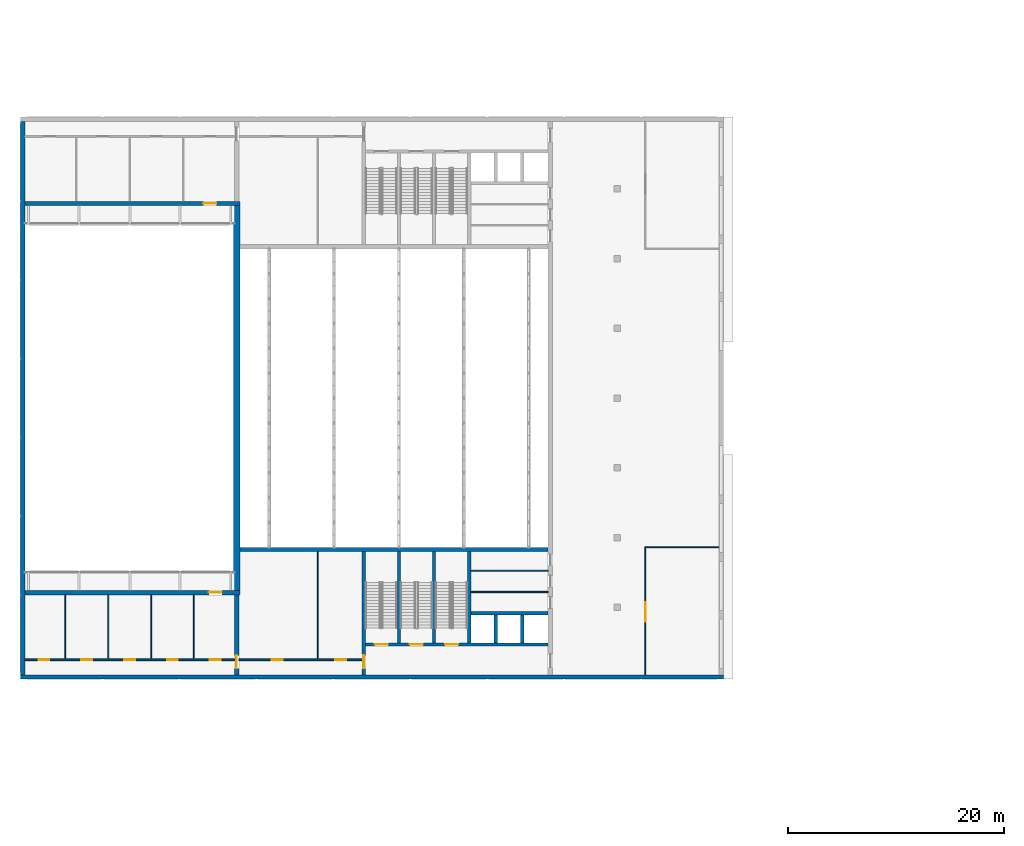
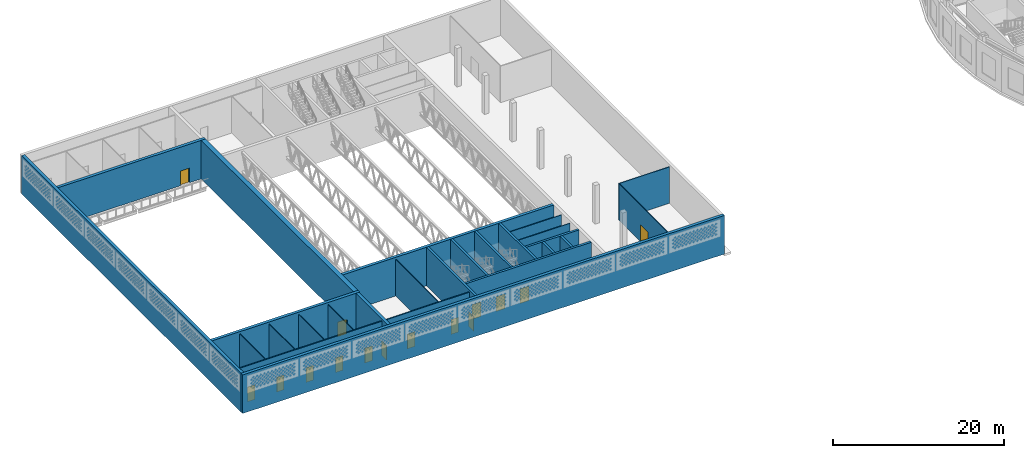
# One storey, part 10 of 69: 26 walls, 15 doors, 15 openings.
"""IFC4 building model written with IfcOpenShell, lengths in metres."""

from ifc_helpers import new_model, si_unit, direction, frame, frame_2d, origin, place, context, subcontext, project, spatial, rectangle, extrude, material, layer, layer_set, type_object, element, fill, save


model = new_model("IFC4")

# Units and contexts
model_context = context("Model", 3, precision=1e-05, world=origin(), true_north=direction((0.0, 1.0)))
body_context = subcontext(model_context, "Body", "Model", "MODEL_VIEW")
ifc_project = project(units=[si_unit("LENGTHUNIT", "METRE"), si_unit("AREAUNIT", "SQUARE_METRE"), si_unit("VOLUMEUNIT", "CUBIC_METRE"), si_unit("PLANEANGLEUNIT", "RADIAN"), si_unit("MASSUNIT", "GRAM", prefix="KILO")], contexts=[model_context])

# Site, building, storey
site_placement = place(None, origin())
site = spatial("IfcSite", under=ifc_project, at=site_placement, CompositionType="ELEMENT")
building_placement = place(site_placement, origin())
building = spatial("IfcBuilding", under=site, at=building_placement, Name="Noorbagh Ring Tower", CompositionType="ELEMENT")
storey_placement = place(building_placement, frame((0.0, 0.0, 19.5)))
storey = spatial("IfcBuildingStorey", under=building, at=storey_placement, Name="L03", CompositionType="ELEMENT", Elevation=19.5)

# Walls
ifc_material_1 = material(Name="Gypsum board on steel studs", Category="steel")
ifc_layer_1 = layer(ifc_material_1, 0.10009765625)
ifc_layer_set_1 = layer_set([ifc_layer_1], Name="Gypsum board on steel studs")
wall_type_1 = type_object("IfcWallType", Name="TH-PART-100", PredefinedType="PARTITIONING", material=ifc_layer_set_1)
for number, where, z_axis, x_axis, name in (
    (1, (-118.35009765625, -12.93310546875, 0.0), (0.0, 0.0, 1.0), (1.0, 0.0, 0.0), "L03/th-wall/030"),
    (2, (-118.35009765625, -10.967041015625, 0.0), (0.0, 0.0, 1.0), (1.0, 0.0, 0.0), "L03/th-wall/031"),
):
    element("IfcWall", number, at=place(storey_placement, frame(where, z_axis=z_axis, x_axis=x_axis)), inside=storey, type_object=wall_type_1, Name=name, PredefinedType="PARTITIONING", context=body_context, shape_type="SweptSolid", body=[
        extrude(rectangle(XDim=7.150146484375, YDim=0.10009765625, at=frame_2d((3.5751953125, 0.0))), origin(), (0.0, 0.0, 1.0), 5.199951171875),
    ])
wall_1_placement = place(storey_placement, frame((-102.25, -8.800048828125, 0.0), z_axis=(0.0, 0.0, 1.0), x_axis=(1.0, 0.0, 0.0)))
element("IfcWall", 3, at=wall_1_placement, inside=storey, type_object=wall_type_1, Name="L03/th-wall/032", PredefinedType="PARTITIONING", context=body_context, shape_type="SweptSolid", body=[
    extrude(rectangle(XDim=6.85009765625, YDim=0.10009765625, at=frame_2d((3.425048828125, 0.0))), origin(), (0.0, 0.0, 1.0), 5.199951171875),
])
for number, where, z_axis, x_axis, name in (
    (4, (-155.840087890625, -19.125, 0.0), (0.0, 0.0, 1.0), (0.0, 1.0, 0.0), "L03/th-wall/038"),
    (5, (-151.8798828125, -19.125, 0.0), (0.0, 0.0, 1.0), (0.0, 1.0, 0.0), "L03/th-wall/040"),
    (6, (-147.919921875, -19.125, 0.0), (0.0, 0.0, 1.0), (0.0, 1.0, 0.0), "L03/th-wall/042"),
    (7, (-143.9599609375, -19.125, 0.0), (0.0, 0.0, 1.0), (0.0, 1.0, 0.0), "L03/th-wall/044"),
):
    element("IfcWall", number, at=place(storey_placement, frame(where, z_axis=z_axis, x_axis=x_axis)), inside=storey, type_object=wall_type_1, Name=name, PredefinedType="PARTITIONING", context=body_context, shape_type="SweptSolid", body=[
        extrude(rectangle(XDim=5.925048828125, YDim=0.10009765625, at=frame_2d((2.96240234375, 0.0))), origin(), (0.0, 0.0, 1.0), 5.199951171875),
    ])
wall_2_placement = place(storey_placement, frame((-132.5, -19.125, 0.0), z_axis=(0.0, 0.0, 1.0), x_axis=(0.0, 1.0, 0.0)))
element("IfcWall", 8, at=wall_2_placement, inside=storey, type_object=wall_type_1, Name="L03/th-wall/045", PredefinedType="PARTITIONING", context=body_context, shape_type="SweptSolid", body=[
    extrude(rectangle(XDim=9.925048828125, YDim=0.10009765625, at=frame_2d((4.96240234375, 0.0))), origin(), (0.0, 0.0, 1.0), 5.199951171875),
])

# Wall, opening, door
wall_3_placement = place(storey_placement, frame((-102.199951171875, -20.60009765625, 0.0), z_axis=(0.0, 0.0, 1.0), x_axis=(0.0, 1.0, 0.0)))
wall_3 = element("IfcWall", 9, at=wall_3_placement, inside=storey, type_object=wall_type_1, Name="L03/th-wall/047", PredefinedType="PARTITIONING", context=body_context, shape_type="SweptSolid", body=[
    extrude(rectangle(XDim=11.75, YDim=0.10009765625, at=frame_2d((5.875, 0.0))), origin(), (0.0, 0.0, 1.0), 5.199951171875),
])
opening_1_placement = place(wall_3_placement, frame((4.89990234375, 0.0, 0.0)))
opening_1 = element("IfcOpeningElement", 10, at=opening_1_placement, cuts=wall_3, Name="Opening TL03-D26", PredefinedType="OPENING", context=body_context, shape_type="SweptSolid", body=[
    extrude(rectangle(XDim=1.800048828125, YDim=2.39990234375, at=frame_2d((0.89990234375, 1.199951171875))), frame((0.0, 0.06005859375, 0.0), z_axis=(0.0, -1.0, 0.0), x_axis=(1.0, 0.0, 0.0)), (0.0, 0.0, 1.0), 0.1201171875),
])
ifc_material_2 = material(Name="Timber", Category="wood")
door_type_1 = type_object("IfcDoorType", Name="TH-DOOR-DBL-1800", OperationType="DOUBLE_DOOR_SINGLE_SWING", PredefinedType="DOOR", material=ifc_material_2)
door_1_placement = place(opening_1_placement, origin())
door_1 = element("IfcDoor", 11, at=door_1_placement, inside=storey, type_object=door_type_1, Name="Door Administration office to Staff kitchen TL03-D26", OperationType="DOUBLE_DOOR_SINGLE_SWING", OverallHeight=2.39990234375, OverallWidth=1.800048828125, PredefinedType="DOOR", context=body_context, shape_type="SweptSolid", body=[
    extrude(rectangle(XDim=1.800048828125, YDim=2.39990234375, at=frame_2d((0.89990234375, 1.199951171875))), frame((0.0, 0.02490234375, 0.0), z_axis=(0.0, -1.0, 0.0), x_axis=(1.0, 0.0, 0.0)), (0.0, 0.0, 1.0), 0.050048828125),
])
fill(opening_1, door_1)

# Wall, openings, doors
ifc_material_3 = material(Name="Gypsum board on steel studs", Category="steel")
ifc_layer_2 = layer(ifc_material_3, 0.14990234375)
ifc_layer_set_2 = layer_set([ifc_layer_2], Name="Gypsum board on steel studs")
wall_type_2 = type_object("IfcWallType", Name="TH-PART-150", PredefinedType="PARTITIONING", material=ifc_layer_set_2)
wall_4_placement = place(storey_placement, frame((-159.60009765625, -19.199951171875, 0.0), z_axis=(0.0, 0.0, 1.0), x_axis=(1.0, 0.0, 0.0)))
wall_4 = element("IfcWall", 12, at=wall_4_placement, inside=storey, type_object=wall_type_2, Name="L03/th-wall/028", PredefinedType="PARTITIONING", context=body_context, shape_type="SweptSolid", body=[
    extrude(rectangle(XDim=19.400146484375, YDim=0.14990234375, at=frame_2d((9.7001953125, 0.0))), origin(), (0.0, 0.0, 1.0), 5.199951171875),
])
opening_2_placement = place(wall_4_placement, frame((1.280029296875, 0.0, 0.0)))
opening_2 = element("IfcOpeningElement", 13, at=opening_2_placement, cuts=wall_4, Name="Opening TL03-D01", PredefinedType="OPENING", context=body_context, shape_type="SweptSolid", body=[
    extrude(rectangle(XDim=1.0, YDim=2.10009765625, at=frame_2d((0.5, 1.050048828125))), frame((0.0, 0.0849609375, 0.0), z_axis=(0.0, -1.0, 0.0), x_axis=(1.0, 0.0, 0.0)), (0.0, 0.0, 1.0), 0.169921875),
])
opening_3_placement = place(wall_4_placement, frame((5.239990234375, 0.0, 0.0)))
opening_3 = element("IfcOpeningElement", 14, at=opening_3_placement, cuts=wall_4, Name="Opening TL03-D02", PredefinedType="OPENING", context=body_context, shape_type="SweptSolid", body=[
    extrude(rectangle(XDim=1.0, YDim=2.10009765625, at=frame_2d((0.5, 1.050048828125))), frame((0.0, 0.0849609375, 0.0), z_axis=(0.0, -1.0, 0.0), x_axis=(1.0, 0.0, 0.0)), (0.0, 0.0, 1.0), 0.169921875),
])
opening_4_placement = place(wall_4_placement, frame((9.199951171875, 0.0, 0.0)))
opening_4 = element("IfcOpeningElement", 15, at=opening_4_placement, cuts=wall_4, Name="Opening TL03-D03", PredefinedType="OPENING", context=body_context, shape_type="SweptSolid", body=[
    extrude(rectangle(XDim=1.0, YDim=2.10009765625, at=frame_2d((0.5, 1.050048828125))), frame((0.0, 0.0849609375, 0.0), z_axis=(0.0, -1.0, 0.0), x_axis=(1.0, 0.0, 0.0)), (0.0, 0.0, 1.0), 0.169921875),
])
opening_5_placement = place(wall_4_placement, frame((13.159912109375, 0.0, 0.0)))
opening_5 = element("IfcOpeningElement", 16, at=opening_5_placement, cuts=wall_4, Name="Opening TL03-D04", PredefinedType="OPENING", context=body_context, shape_type="SweptSolid", body=[
    extrude(rectangle(XDim=1.0, YDim=2.10009765625, at=frame_2d((0.5, 1.050048828125))), frame((0.0, 0.0849609375, 0.0), z_axis=(0.0, -1.0, 0.0), x_axis=(1.0, 0.0, 0.0)), (0.0, 0.0, 1.0), 0.169921875),
])
opening_6_placement = place(wall_4_placement, frame((17.1201171875, 0.0, 0.0)))
opening_6 = element("IfcOpeningElement", 17, at=opening_6_placement, cuts=wall_4, Name="Opening TL03-D05", PredefinedType="OPENING", context=body_context, shape_type="SweptSolid", body=[
    extrude(rectangle(XDim=1.0, YDim=2.10009765625, at=frame_2d((0.5, 1.050048828125))), frame((0.0, 0.0849609375, 0.0), z_axis=(0.0, -1.0, 0.0), x_axis=(1.0, 0.0, 0.0)), (0.0, 0.0, 1.0), 0.169921875),
])
ifc_material_4 = material(Name="Timber", Category="wood")
door_type_2 = type_object("IfcDoorType", Name="TH-DOOR-1000", OperationType="SINGLE_SWING_LEFT", PredefinedType="DOOR", material=ifc_material_4)
door_2_placement = place(opening_2_placement, origin())
door_2 = element("IfcDoor", 18, at=door_2_placement, inside=storey, type_object=door_type_2, Name="Door Corridor to Office 1 TL03-D01", OperationType="SINGLE_SWING_RIGHT", OverallHeight=2.10009765625, OverallWidth=1.0, PredefinedType="DOOR", context=body_context, shape_type="SweptSolid", body=[
    extrude(rectangle(XDim=1.0, YDim=2.10009765625, at=frame_2d((0.5, 1.050048828125))), frame((0.0, 0.02490234375, 0.0), z_axis=(0.0, -1.0, 0.0), x_axis=(1.0, 0.0, 0.0)), (0.0, 0.0, 1.0), 0.050048828125),
])
fill(opening_2, door_2)
door_3_placement = place(opening_3_placement, origin())
door_3 = element("IfcDoor", 19, at=door_3_placement, inside=storey, type_object=door_type_2, Name="Door Corridor to Office 2 TL03-D02", OperationType="SINGLE_SWING_RIGHT", OverallHeight=2.10009765625, OverallWidth=1.0, PredefinedType="DOOR", context=body_context, shape_type="SweptSolid", body=[
    extrude(rectangle(XDim=1.0, YDim=2.10009765625, at=frame_2d((0.5, 1.050048828125))), frame((0.0, 0.02490234375, 0.0), z_axis=(0.0, -1.0, 0.0), x_axis=(1.0, 0.0, 0.0)), (0.0, 0.0, 1.0), 0.050048828125),
])
fill(opening_3, door_3)
door_4_placement = place(opening_4_placement, origin())
door_4 = element("IfcDoor", 20, at=door_4_placement, inside=storey, type_object=door_type_2, Name="Door Corridor to Office 3 TL03-D03", OperationType="SINGLE_SWING_RIGHT", OverallHeight=2.10009765625, OverallWidth=1.0, PredefinedType="DOOR", context=body_context, shape_type="SweptSolid", body=[
    extrude(rectangle(XDim=1.0, YDim=2.10009765625, at=frame_2d((0.5, 1.050048828125))), frame((0.0, 0.02490234375, 0.0), z_axis=(0.0, -1.0, 0.0), x_axis=(1.0, 0.0, 0.0)), (0.0, 0.0, 1.0), 0.050048828125),
])
fill(opening_4, door_4)
door_5_placement = place(opening_5_placement, origin())
door_5 = element("IfcDoor", 21, at=door_5_placement, inside=storey, type_object=door_type_2, Name="Door Corridor to Office 4 TL03-D04", OperationType="SINGLE_SWING_LEFT", OverallHeight=2.10009765625, OverallWidth=1.0, PredefinedType="DOOR", context=body_context, shape_type="SweptSolid", body=[
    extrude(rectangle(XDim=1.0, YDim=2.10009765625, at=frame_2d((0.5, 1.050048828125))), frame((0.0, 0.02490234375, 0.0), z_axis=(0.0, -1.0, 0.0), x_axis=(1.0, 0.0, 0.0)), (0.0, 0.0, 1.0), 0.050048828125),
])
fill(opening_5, door_5)
ifc_material_5 = material(Name="Steel", Category="steel")
door_type_3 = type_object("IfcDoorType", Name="TH-DOOR-FIRE-1000", OperationType="SINGLE_SWING_LEFT", PredefinedType="DOOR", material=ifc_material_5)
door_6_placement = place(opening_6_placement, origin())
door_6 = element("IfcDoor", 22, at=door_6_placement, inside=storey, type_object=door_type_3, Name="Door Corridor to Gallery access lobby TL03-D05", OperationType="SINGLE_SWING_LEFT", OverallHeight=2.10009765625, OverallWidth=1.0, PredefinedType="DOOR", context=body_context, shape_type="SweptSolid", body=[
    extrude(rectangle(XDim=1.0, YDim=2.10009765625, at=frame_2d((0.5, 1.050048828125))), frame((0.0, 0.02490234375, 0.0), z_axis=(0.0, -1.0, 0.0), x_axis=(1.0, 0.0, 0.0)), (0.0, 0.0, 1.0), 0.050048828125),
])
fill(opening_6, door_6)

wall_5_placement = place(storey_placement, frame((-139.800048828125, -19.199951171875, 0.0), z_axis=(0.0, 0.0, 1.0), x_axis=(1.0, 0.0, 0.0)))
wall_5 = element("IfcWall", 23, at=wall_5_placement, inside=storey, type_object=wall_type_2, Name="L03/th-wall/029", PredefinedType="PARTITIONING", context=body_context, shape_type="SweptSolid", body=[
    extrude(rectangle(XDim=11.400146484375, YDim=0.14990234375, at=frame_2d((5.7001953125, 0.0))), origin(), (0.0, 0.0, 1.0), 5.199951171875),
])
opening_7_placement = place(wall_5_placement, frame((3.050048828125, 0.0, 0.0)))
opening_7 = element("IfcOpeningElement", 24, at=opening_7_placement, cuts=wall_5, Name="Opening TL03-D06", PredefinedType="OPENING", context=body_context, shape_type="SweptSolid", body=[
    extrude(rectangle(XDim=1.0, YDim=2.10009765625, at=frame_2d((0.5, 1.050048828125))), frame((0.0, 0.0849609375, 0.0), z_axis=(0.0, -1.0, 0.0), x_axis=(1.0, 0.0, 0.0)), (0.0, 0.0, 1.0), 0.169921875),
])
opening_8_placement = place(wall_5_placement, frame((8.925048828125, 0.0, 0.0)))
opening_8 = element("IfcOpeningElement", 25, at=opening_8_placement, cuts=wall_5, Name="Opening TL03-D07", PredefinedType="OPENING", context=body_context, shape_type="SweptSolid", body=[
    extrude(rectangle(XDim=1.0, YDim=2.10009765625, at=frame_2d((0.5, 1.050048828125))), frame((0.0, 0.0849609375, 0.0), z_axis=(0.0, -1.0, 0.0), x_axis=(1.0, 0.0, 0.0)), (0.0, 0.0, 1.0), 0.169921875),
])
door_7_placement = place(opening_7_placement, origin())
door_7 = element("IfcDoor", 26, at=door_7_placement, inside=storey, type_object=door_type_2, Name="Door Corridor to Director's office TL03-D06", OperationType="SINGLE_SWING_RIGHT", OverallHeight=2.10009765625, OverallWidth=1.0, PredefinedType="DOOR", context=body_context, shape_type="SweptSolid", body=[
    extrude(rectangle(XDim=1.0, YDim=2.10009765625, at=frame_2d((0.5, 1.050048828125))), frame((0.0, 0.02490234375, 0.0), z_axis=(0.0, -1.0, 0.0), x_axis=(1.0, 0.0, 0.0)), (0.0, 0.0, 1.0), 0.050048828125),
])
fill(opening_7, door_7)
door_8_placement = place(opening_8_placement, origin())
door_8 = element("IfcDoor", 27, at=door_8_placement, inside=storey, type_object=door_type_2, Name="Door Corridor to General office TL03-D07", OperationType="SINGLE_SWING_LEFT", OverallHeight=2.10009765625, OverallWidth=1.0, PredefinedType="DOOR", context=body_context, shape_type="SweptSolid", body=[
    extrude(rectangle(XDim=1.0, YDim=2.10009765625, at=frame_2d((0.5, 1.050048828125))), frame((0.0, 0.02490234375, 0.0), z_axis=(0.0, -1.0, 0.0), x_axis=(1.0, 0.0, 0.0)), (0.0, 0.0, 1.0), 0.050048828125),
])
fill(opening_8, door_8)

# Wall, opening, door
ifc_material_6 = material(Name="Concrete C50/60", Category="concrete")
ifc_layer_3 = layer(ifc_material_6, 0.300048828125)
ifc_layer_set_3 = layer_set([ifc_layer_3], Name="Concrete C50/60")
wall_type_3 = type_object("IfcWallType", Name="TH-WALL-CORE", PredefinedType="SHEAR", material=ifc_layer_set_3)
wall_6_placement = place(storey_placement, frame((-128.25, -20.60009765625, 0.0), z_axis=(0.0, 0.0, 1.0), x_axis=(0.0, 1.0, 0.0)))
wall_6 = element("IfcWall", 28, at=wall_6_placement, inside=storey, type_object=wall_type_3, Name="Core wall", PredefinedType="SHEAR", context=body_context, shape_type="SweptSolid", body=[
    extrude(rectangle(XDim=11.400146484375, YDim=0.300048828125, at=frame_2d((5.7001953125, 0.0))), origin(), (0.0, 0.0, 1.0), 5.5),
])
opening_9_placement = place(wall_6_placement, frame((0.60009765625, 0.0, 0.0)))
opening_9 = element("IfcOpeningElement", 29, at=opening_9_placement, cuts=wall_6, Name="Opening TL03-D09", PredefinedType="OPENING", context=body_context, shape_type="SweptSolid", body=[
    extrude(rectangle(XDim=1.199951171875, YDim=2.10009765625, at=frame_2d((0.60009765625, 1.050048828125))), frame((0.0, 0.16015625, 0.0), z_axis=(0.0, -1.0, 0.0), x_axis=(1.0, 0.0, 0.0)), (0.0, 0.0, 1.0), 0.320068359375),
])
ifc_material_7 = material(Name="Steel", Category="steel")
door_type_4 = type_object("IfcDoorType", Name="TH-DOOR-FIRE-1200", OperationType="SINGLE_SWING_LEFT", PredefinedType="DOOR", material=ifc_material_7)
door_9_placement = place(opening_9_placement, origin())
door_9 = element("IfcDoor", 30, at=door_9_placement, inside=storey, type_object=door_type_4, Name="Door Corridor to Exit lobby TL03-D09", OperationType="SINGLE_SWING_LEFT", OverallHeight=2.10009765625, OverallWidth=1.199951171875, PredefinedType="DOOR", context=body_context, shape_type="SweptSolid", body=[
    extrude(rectangle(XDim=1.199951171875, YDim=2.10009765625, at=frame_2d((0.60009765625, 1.050048828125))), frame((0.0, 0.02490234375, 0.0), z_axis=(0.0, -1.0, 0.0), x_axis=(1.0, 0.0, 0.0)), (0.0, 0.0, 1.0), 0.050048828125),
])
fill(opening_9, door_9)

# Wall, openings, doors
wall_7_placement = place(storey_placement, frame((-128.10009765625, -17.800048828125, 0.0), z_axis=(0.0, 0.0, 1.0), x_axis=(1.0, 0.0, 0.0)))
wall_7 = element("IfcWall", 31, at=wall_7_placement, inside=storey, type_object=wall_type_3, Name="Exit lobby wall", PredefinedType="SHEAR", context=body_context, shape_type="SweptSolid", body=[
    extrude(rectangle(XDim=16.900146484375, YDim=0.300048828125, at=frame_2d((8.4501953125, 0.0))), origin(), (0.0, 0.0, 1.0), 5.5),
])
opening_10_placement = place(wall_7_placement, frame((4.125, 0.0, 0.0)))
opening_10 = element("IfcOpeningElement", 32, at=opening_10_placement, cuts=wall_7, Name="Opening TL03-D10", PredefinedType="OPENING", context=body_context, shape_type="SweptSolid", body=[
    extrude(rectangle(XDim=1.199951171875, YDim=2.10009765625, at=frame_2d((0.60009765625, 1.050048828125))), frame((0.0, 0.16015625, 0.0), z_axis=(0.0, -1.0, 0.0), x_axis=(1.0, 0.0, 0.0)), (0.0, 0.0, 1.0), 0.320068359375),
])
opening_11_placement = place(wall_7_placement, frame((7.375, 0.0, 0.0)))
opening_11 = element("IfcOpeningElement", 33, at=opening_11_placement, cuts=wall_7, Name="Opening TL03-D11", PredefinedType="OPENING", context=body_context, shape_type="SweptSolid", body=[
    extrude(rectangle(XDim=1.199951171875, YDim=2.10009765625, at=frame_2d((0.60009765625, 1.050048828125))), frame((0.0, 0.16015625, 0.0), z_axis=(0.0, -1.0, 0.0), x_axis=(1.0, 0.0, 0.0)), (0.0, 0.0, 1.0), 0.320068359375),
])
opening_12_placement = place(wall_7_placement, frame((0.875, 0.0, 0.0)))
opening_12 = element("IfcOpeningElement", 34, at=opening_12_placement, cuts=wall_7, Name="Opening TL03-D12", PredefinedType="OPENING", context=body_context, shape_type="SweptSolid", body=[
    extrude(rectangle(XDim=1.199951171875, YDim=2.10009765625, at=frame_2d((0.60009765625, 1.050048828125))), frame((0.0, 0.16015625, 0.0), z_axis=(0.0, -1.0, 0.0), x_axis=(1.0, 0.0, 0.0)), (0.0, 0.0, 1.0), 0.320068359375),
])
ifc_material_8 = material(Name="Steel", Category="steel")
door_type_5 = type_object("IfcDoorType", Name="TH-DOOR-STAIR-1200", OperationType="SINGLE_SWING_LEFT", PredefinedType="DOOR", material=ifc_material_8)
door_10_placement = place(opening_10_placement, origin())
door_10 = element("IfcDoor", 35, at=door_10_placement, inside=storey, type_object=door_type_5, Name="Door Exit lobby to Exit stair S1 TL03-D10", OperationType="SINGLE_SWING_RIGHT", OverallHeight=2.10009765625, OverallWidth=1.199951171875, PredefinedType="DOOR", context=body_context, shape_type="SweptSolid", body=[
    extrude(rectangle(XDim=1.199951171875, YDim=2.10009765625, at=frame_2d((0.60009765625, 1.050048828125))), frame((0.0, 0.02490234375, 0.0), z_axis=(0.0, -1.0, 0.0), x_axis=(1.0, 0.0, 0.0)), (0.0, 0.0, 1.0), 0.050048828125),
])
fill(opening_10, door_10)
door_11_placement = place(opening_11_placement, origin())
door_11 = element("IfcDoor", 36, at=door_11_placement, inside=storey, type_object=door_type_5, Name="Door Exit lobby to Exit stair S2 TL03-D11", OperationType="SINGLE_SWING_RIGHT", OverallHeight=2.10009765625, OverallWidth=1.199951171875, PredefinedType="DOOR", context=body_context, shape_type="SweptSolid", body=[
    extrude(rectangle(XDim=1.199951171875, YDim=2.10009765625, at=frame_2d((0.60009765625, 1.050048828125))), frame((0.0, 0.02490234375, 0.0), z_axis=(0.0, -1.0, 0.0), x_axis=(1.0, 0.0, 0.0)), (0.0, 0.0, 1.0), 0.050048828125),
])
fill(opening_11, door_11)
door_12_placement = place(opening_12_placement, origin())
door_12 = element("IfcDoor", 37, at=door_12_placement, inside=storey, type_object=door_type_5, Name="Door Exit lobby to Exit stair S3 TL03-D12", OperationType="SINGLE_SWING_RIGHT", OverallHeight=2.10009765625, OverallWidth=1.199951171875, PredefinedType="DOOR", context=body_context, shape_type="SweptSolid", body=[
    extrude(rectangle(XDim=1.199951171875, YDim=2.10009765625, at=frame_2d((0.60009765625, 1.050048828125))), frame((0.0, 0.02490234375, 0.0), z_axis=(0.0, -1.0, 0.0), x_axis=(1.0, 0.0, 0.0)), (0.0, 0.0, 1.0), 0.050048828125),
])
fill(opening_12, door_12)

# Walls
for number, where, z_axis, x_axis, name in (
    (38, (-125.0, -17.64990234375, 0.0), (0.0, 0.0, 1.0), (0.0, 1.0, 0.0), "Stair wall"),
    (39, (-121.75, -17.64990234375, 0.0), (0.0, 0.0, 1.0), (0.0, 1.0, 0.0), "Stair wall"),
    (40, (-118.5, -17.64990234375, 0.0), (0.0, 0.0, 1.0), (0.0, 1.0, 0.0), "Stair wall"),
):
    element("IfcWall", number, at=place(storey_placement, frame(where, z_axis=z_axis, x_axis=x_axis)), inside=storey, type_object=wall_type_3, Name=name, PredefinedType="SHEAR", context=body_context, shape_type="SweptSolid", body=[
        extrude(rectangle(XDim=8.449951171875, YDim=0.300048828125, at=frame_2d((4.22509765625, 0.0))), origin(), (0.0, 0.0, 1.0), 5.5),
    ])
wall_8_placement = place(storey_placement, frame((-118.35009765625, -14.89990234375, 0.0), z_axis=(0.0, 0.0, 1.0), x_axis=(1.0, 0.0, 0.0)))
element("IfcWall", 41, at=wall_8_placement, inside=storey, type_object=wall_type_3, Name="Lift shaft wall", PredefinedType="SHEAR", context=body_context, shape_type="SweptSolid", body=[
    extrude(rectangle(XDim=7.150146484375, YDim=0.300048828125, at=frame_2d((3.5751953125, 0.0))), origin(), (0.0, 0.0, 1.0), 5.5),
])
for number, where, z_axis, x_axis, name in (
    (42, (-116.050048828125, -17.64990234375, 0.0), (0.0, 0.0, 1.0), (0.0, 1.0, 0.0), "Lift shaft wall"),
    (43, (-113.60009765625, -17.64990234375, 0.0), (0.0, 0.0, 1.0), (0.0, 1.0, 0.0), "Lift shaft wall"),
):
    element("IfcWall", number, at=place(storey_placement, frame(where, z_axis=z_axis, x_axis=x_axis)), inside=storey, type_object=wall_type_3, Name=name, PredefinedType="SHEAR", context=body_context, shape_type="SweptSolid", body=[
        extrude(rectangle(XDim=2.599853515625, YDim=0.300048828125, at=frame_2d((1.2998046875, 0.0))), origin(), (0.0, 0.0, 1.0), 5.5),
    ])
ifc_material_9 = material(Name="Concrete C50/60", Category="concrete")
ifc_layer_4 = layer(ifc_material_9, 0.39990234375)
ifc_layer_set_4 = layer_set([ifc_layer_4], Name="Concrete C50/60")
wall_type_4 = type_object("IfcWallType", Name="TH-WALL-HALL", PredefinedType="SOLIDWALL", material=ifc_layer_set_4)
wall_9_placement = place(storey_placement, frame((-139.699951171875, -9.0, 0.0), z_axis=(0.0, 0.0, 1.0), x_axis=(1.0, 0.0, 0.0)))
element("IfcWall", 44, at=wall_9_placement, inside=storey, type_object=wall_type_4, Name="Auditorium wall south", PredefinedType="SOLIDWALL", context=body_context, shape_type="SweptSolid", body=[
    extrude(rectangle(XDim=28.5, YDim=0.39990234375, at=frame_2d((14.25, 0.0))), origin(), (0.0, 0.0, 1.0), 5.5),
])

# Wall, opening, door
ifc_material_10 = material(Name="Concrete C40/50", Category="concrete")
ifc_layer_5 = layer(ifc_material_10, 0.39990234375)
ifc_layer_set_5 = layer_set([ifc_layer_5], Name="Concrete C40/50")
wall_type_5 = type_object("IfcWallType", Name="TH-WALL-INNER", PredefinedType="SOLIDWALL", material=ifc_layer_set_5)
wall_10_placement = place(storey_placement, frame((-140.0, -20.60009765625, 0.0), z_axis=(0.0, 0.0, 1.0), x_axis=(0.0, 1.0, 0.0)))
wall_10 = element("IfcWall", 45, at=wall_10_placement, inside=storey, type_object=wall_type_5, Name="Stage block wall", PredefinedType="SOLIDWALL", context=body_context, shape_type="SweptSolid", body=[
    extrude(rectangle(XDim=7.400146484375, YDim=0.39990234375, at=frame_2d((3.7001953125, 0.0))), origin(), (0.0, 0.0, 1.0), 5.5),
])
opening_13_placement = place(wall_10_placement, frame((0.60009765625, 0.0, 0.0)))
opening_13 = element("IfcOpeningElement", 46, at=opening_13_placement, cuts=wall_10, Name="Opening TL03-D08", PredefinedType="OPENING", context=body_context, shape_type="SweptSolid", body=[
    extrude(rectangle(XDim=1.199951171875, YDim=2.10009765625, at=frame_2d((0.60009765625, 1.050048828125))), frame((0.0, 0.2099609375, 0.0), z_axis=(0.0, -1.0, 0.0), x_axis=(1.0, 0.0, 0.0)), (0.0, 0.0, 1.0), 0.419921875),
])
ifc_material_11 = material(Name="Timber", Category="wood")
door_type_6 = type_object("IfcDoorType", Name="TH-DOOR-1200", OperationType="SINGLE_SWING_LEFT", PredefinedType="DOOR", material=ifc_material_11)
door_13_placement = place(opening_13_placement, origin())
door_13 = element("IfcDoor", 47, at=door_13_placement, inside=storey, type_object=door_type_6, Name="Door Corridor to Corridor TL03-D08", OperationType="SINGLE_SWING_LEFT", OverallHeight=2.10009765625, OverallWidth=1.199951171875, PredefinedType="DOOR", context=body_context, shape_type="SweptSolid", body=[
    extrude(rectangle(XDim=1.199951171875, YDim=2.10009765625, at=frame_2d((0.60009765625, 1.050048828125))), frame((0.0, 0.02490234375, 0.0), z_axis=(0.0, -1.0, 0.0), x_axis=(1.0, 0.0, 0.0)), (0.0, 0.0, 1.0), 0.050048828125),
])
fill(opening_13, door_13)

wall_11_placement = place(storey_placement, frame((-159.60009765625, -13.0, 0.0), z_axis=(0.0, 0.0, 1.0), x_axis=(1.0, 0.0, 0.0)))
wall_11 = element("IfcWall", 48, at=wall_11_placement, inside=storey, type_object=wall_type_5, Name="Stage house wall south", PredefinedType="SOLIDWALL", context=body_context, shape_type="SweptSolid", body=[
    extrude(rectangle(XDim=19.900146484375, YDim=0.39990234375, at=frame_2d((9.9501953125, 0.0))), origin(), (0.0, 0.0, 1.0), 5.5),
])
opening_14_placement = place(wall_11_placement, frame((17.02001953125, 0.0, 0.0)))
opening_14 = element("IfcOpeningElement", 49, at=opening_14_placement, cuts=wall_11, Name="Opening TL03-D24", PredefinedType="OPENING", context=body_context, shape_type="SweptSolid", body=[
    extrude(rectangle(XDim=1.199951171875, YDim=2.10009765625, at=frame_2d((0.60009765625, 1.050048828125))), frame((0.0, 0.2099609375, 0.0), z_axis=(0.0, -1.0, 0.0), x_axis=(1.0, 0.0, 0.0)), (0.0, 0.0, 1.0), 0.419921875),
])
door_14_placement = place(opening_14_placement, origin())
door_14 = element("IfcDoor", 50, at=door_14_placement, inside=storey, type_object=door_type_4, Name="Door Gallery access lobby to Stage house TL03-D24", OperationType="SINGLE_SWING_LEFT", OverallHeight=2.10009765625, OverallWidth=1.199951171875, PredefinedType="DOOR", context=body_context, shape_type="SweptSolid", body=[
    extrude(rectangle(XDim=1.199951171875, YDim=2.10009765625, at=frame_2d((0.60009765625, 1.050048828125))), frame((0.0, 0.02490234375, 0.0), z_axis=(0.0, -1.0, 0.0), x_axis=(1.0, 0.0, 0.0)), (0.0, 0.0, 1.0), 0.050048828125),
])
fill(opening_14, door_14)

wall_12_placement = place(storey_placement, frame((-159.60009765625, 23.0, 0.0), z_axis=(0.0, 0.0, 1.0), x_axis=(1.0, 0.0, 0.0)))
wall_12 = element("IfcWall", 51, at=wall_12_placement, inside=storey, type_object=wall_type_5, Name="Stage house wall north", PredefinedType="SOLIDWALL", context=body_context, shape_type="SweptSolid", body=[
    extrude(rectangle(XDim=19.900146484375, YDim=0.39990234375, at=frame_2d((9.9501953125, 0.0))), origin(), (0.0, 0.0, 1.0), 5.5),
])
opening_15_placement = place(wall_12_placement, frame((16.52490234375, 0.0, 0.0)))
opening_15 = element("IfcOpeningElement", 52, at=opening_15_placement, cuts=wall_12, Name="Opening TL03-D25", PredefinedType="OPENING", context=body_context, shape_type="SweptSolid", body=[
    extrude(rectangle(XDim=1.199951171875, YDim=2.10009765625, at=frame_2d((0.60009765625, 1.050048828125))), frame((0.0, 0.2099609375, 0.0), z_axis=(0.0, -1.0, 0.0), x_axis=(1.0, 0.0, 0.0)), (0.0, 0.0, 1.0), 0.419921875),
])
door_15_placement = place(opening_15_placement, origin())
door_15 = element("IfcDoor", 53, at=door_15_placement, inside=storey, type_object=door_type_4, Name="Door Gallery access lobby north to Stage house TL03-D25", OperationType="SINGLE_SWING_RIGHT", OverallHeight=2.10009765625, OverallWidth=1.199951171875, PredefinedType="DOOR", context=body_context, shape_type="SweptSolid", body=[
    extrude(rectangle(XDim=1.199951171875, YDim=2.10009765625, at=frame_2d((0.60009765625, 1.050048828125))), frame((0.0, 0.02490234375, 0.0), z_axis=(0.0, -1.0, 0.0), x_axis=(1.0, 0.0, 0.0)), (0.0, 0.0, 1.0), 0.050048828125),
])
fill(opening_15, door_15)

# Walls
ifc_material_12 = material(Name="Concrete C40/50", Category="concrete")
ifc_layer_6 = layer(ifc_material_12, 0.39990234375)
ifc_layer_set_6 = layer_set([ifc_layer_6], Name="Concrete C40/50")
wall_type_6 = type_object("IfcWallType", Name="TH-WALL-OUTER", PredefinedType="SOLIDWALL", material=ifc_layer_set_6)
wall_13_placement = place(storey_placement, frame((-160.0, -20.800048828125, 0.0), z_axis=(0.0, 0.0, 1.0), x_axis=(1.0, 0.0, 0.0)))
element("IfcWall", 54, at=wall_13_placement, inside=storey, type_object=wall_type_6, Name="Outer wall south", PredefinedType="SOLIDWALL", context=body_context, shape_type="SweptSolid", body=[
    extrude(rectangle(XDim=65.0, YDim=0.39990234375, at=frame_2d((32.5, 0.0))), origin(), (0.0, 0.0, 1.0), 5.5),
])
wall_14_placement = place(storey_placement, frame((-159.800048828125, -20.60009765625, 0.0), z_axis=(0.0, 0.0, 1.0), x_axis=(0.0, 1.0, 0.0)))
element("IfcWall", 55, at=wall_14_placement, inside=storey, type_object=wall_type_6, Name="Outer wall west", PredefinedType="SOLIDWALL", context=body_context, shape_type="SweptSolid", body=[
    extrude(rectangle(XDim=51.2001953125, YDim=0.39990234375, at=frame_2d((25.60009765625, 0.0))), origin(), (0.0, 0.0, 1.0), 5.5),
])
ifc_material_13 = material(Name="Concrete C50/60", Category="concrete")
ifc_layer_7 = layer(ifc_material_13, 0.60009765625)
ifc_layer_set_7 = layer_set([ifc_layer_7], Name="Concrete C50/60")
wall_type_7 = type_object("IfcWallType", Name="TH-WALL-PROSC", PredefinedType="SOLIDWALL", material=ifc_layer_set_7)
wall_15_placement = place(storey_placement, frame((-140.0, -12.800048828125, 0.0), z_axis=(0.0, 0.0, 1.0), x_axis=(0.0, 1.0, 0.0)))
element("IfcWall", 56, at=wall_15_placement, inside=storey, type_object=wall_type_7, Name="Proscenium wall", PredefinedType="SOLIDWALL", context=body_context, shape_type="SweptSolid", body=[
    extrude(rectangle(XDim=35.60009765625, YDim=0.60009765625, at=frame_2d((17.800048828125, 0.0))), origin(), (0.0, 0.0, 1.0), 5.5),
])

save(model, "model.ifc")
